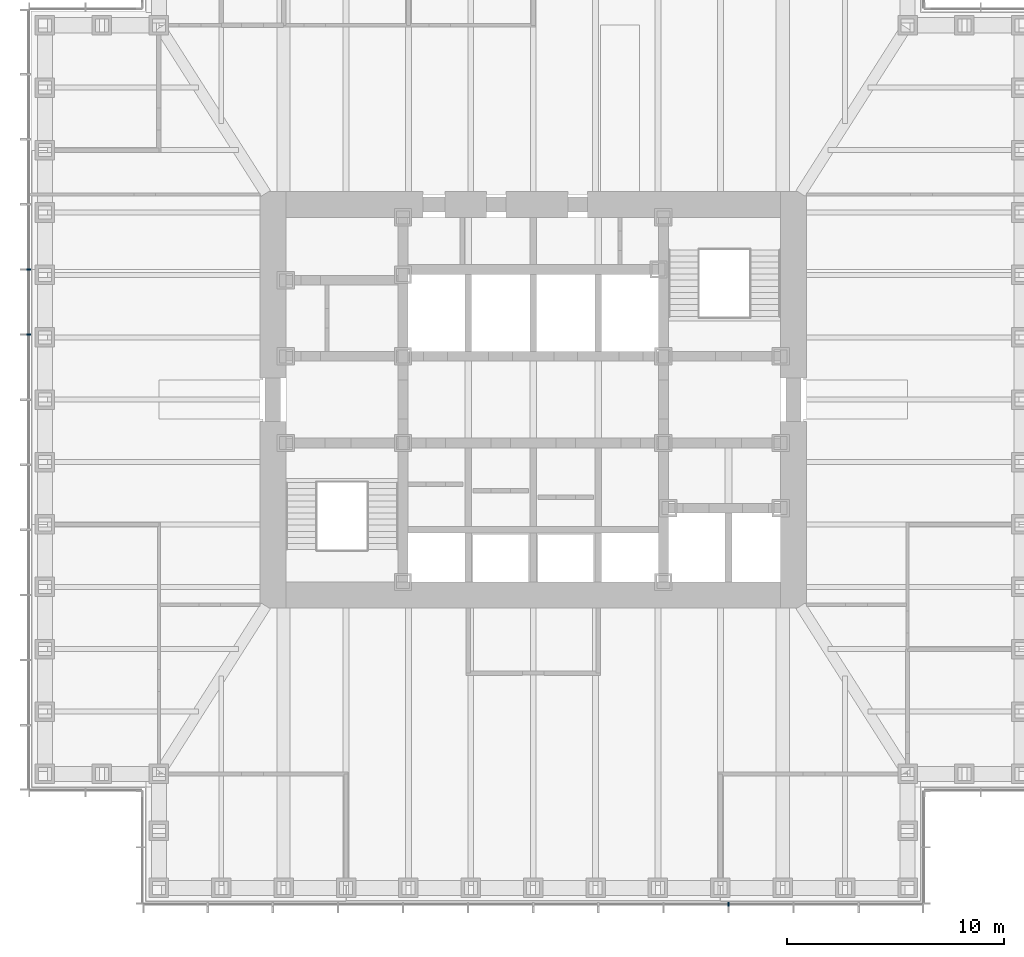
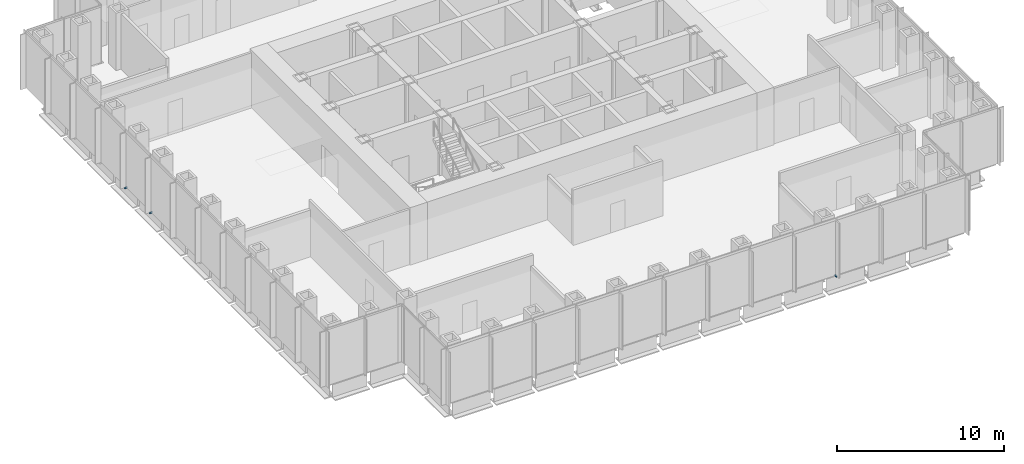
# One storey, part 12 of 16: 3 discrete accessories.
"""IFC4 building model written with IfcOpenShell, lengths in metres."""

from ifc_helpers import new_model, si_unit, direction, frame, origin, origin_2d, place, context, subcontext, project, spatial, rectangle, extrude, element, save


model = new_model("IFC4")

# Units and contexts
model_context = context("Model", 3, precision=1e-05, world=origin(), true_north=direction((0.0, 1.0)))
body_context = subcontext(model_context, "Body", "Model", "MODEL_VIEW")
ifc_project = project(units=[si_unit("LENGTHUNIT", "METRE"), si_unit("AREAUNIT", "SQUARE_METRE"), si_unit("VOLUMEUNIT", "CUBIC_METRE"), si_unit("PLANEANGLEUNIT", "RADIAN"), si_unit("MASSUNIT", "GRAM", prefix="KILO")], contexts=[model_context])

# Site, building, storey
site_placement = place(None, origin())
site = spatial("IfcSite", under=ifc_project, at=site_placement, CompositionType="ELEMENT")
building_placement = place(site_placement, origin())
building = spatial("IfcBuilding", under=site, at=building_placement, Name="Daluyong Arena Tower", CompositionType="ELEMENT")
storey_placement = place(building_placement, frame((0.0, 0.0, 133.300048828125)))
storey = spatial("IfcBuildingStorey", under=building, at=storey_placement, Name="L29", CompositionType="ELEMENT", Elevation=133.300048828125)

# Discrete accessories
for number, where, z_axis, x_axis, name in (
    (1, (65.0, 56.75, -0.10009765625), (0.0, 0.0, 1.0), (1.0, 0.0, 0.0), "curtain wall L29 S anchor bracket 10"),
    (2, (32.75, 86.0, -0.10009765625), (0.0, 0.0, 1.0), (0.0, -1.0, 0.0), "curtain wall L29 W anchor bracket 5"),
    (3, (32.75, 83.0, -0.10009765625), (0.0, 0.0, 1.0), (0.0, -1.0, 0.0), "curtain wall L29 W anchor bracket 6"),
):
    element("IfcDiscreteAccessory", number, at=place(storey_placement, frame(where, z_axis=z_axis, x_axis=x_axis)), inside=storey, Name=name, PredefinedType="BRACKET", context=body_context, shape_type="SweptSolid", body=[
        extrude(rectangle(XDim=0.080078125, YDim=0.199951171875, at=origin_2d()), origin(), (0.0, 0.0, 1.0), 0.10009765625),
    ])

save(model, "model.ifc")
